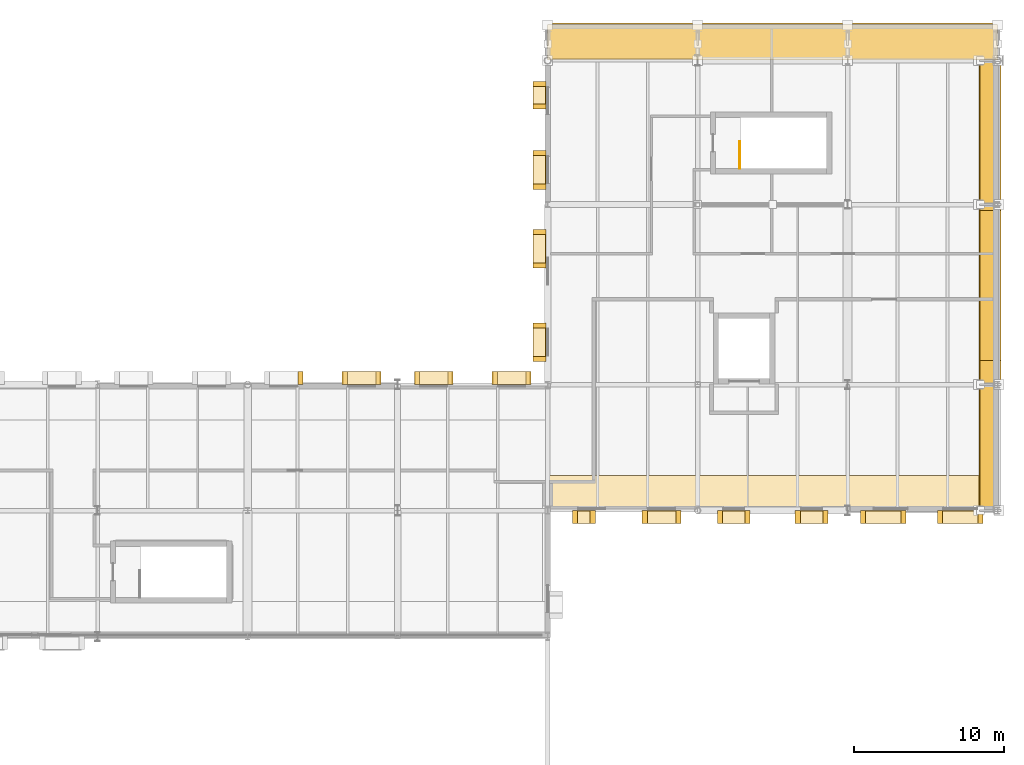
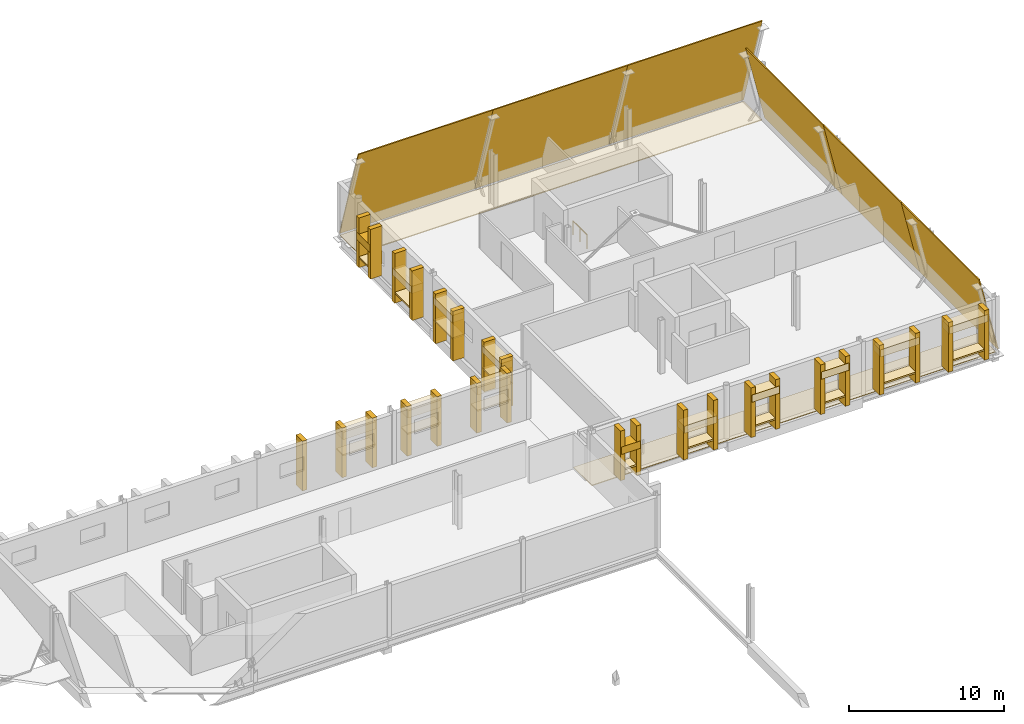
# One storey, part 90 of 90: 61 coverings, 2 railings.
"""IFC4 building model written with IfcOpenShell, lengths in metres."""

from ifc_helpers import new_model, si_unit, direction, frame, origin, origin_2d, place, context, subcontext, project, spatial, polyline, rectangle, circle, outline, extrude, material, layer, layer_set, type_object, element, save


model = new_model("IFC4")

# Units and contexts
model_context = context("Model", 3, precision=1e-05, world=origin(), true_north=direction((0.0, 1.0)))
body_context = subcontext(model_context, "Body", "Model", "MODEL_VIEW")
ifc_project = project(units=[si_unit("LENGTHUNIT", "METRE"), si_unit("AREAUNIT", "SQUARE_METRE"), si_unit("VOLUMEUNIT", "CUBIC_METRE"), si_unit("PLANEANGLEUNIT", "RADIAN"), si_unit("MASSUNIT", "GRAM", prefix="KILO")], contexts=[model_context])

# Site, building, storey
site_placement = place(None, origin())
site = spatial("IfcSite", under=ifc_project, at=site_placement, CompositionType="ELEMENT")
building_placement = place(site_placement, origin())
building = spatial("IfcBuilding", under=site, at=building_placement, Name="Zereglee Splitstone Museum", CompositionType="ELEMENT")
storey_placement = place(building_placement, frame((0.0, 0.0, 4.800048828125)))
storey = spatial("IfcBuildingStorey", under=building, at=storey_placement, Name="L01", CompositionType="ELEMENT", Elevation=4.800048828125)

# Coverings
ifc_material_1 = material(Name="Honed Gobi pale limestone stringcourse and soffit cladding", Category="masonry")
ifc_layer_1 = layer(ifc_material_1, 0.070068359375)
ifc_layer_set_1 = layer_set([ifc_layer_1], Name="Honed Gobi pale limestone stringcourse and soffit cladding")
covering_type_1 = type_object("IfcCoveringType", Name="CL-02", PredefinedType="CLADDING", material=ifc_layer_set_1)
for number, where, z_axis, x_axis, name in (
    (1, (294.7099609375, 38.824951171875, 0.0), (0.0, 0.0, 1.0), (-1.0, 0.0, 0.0), "Mughal Window Reveal Stone Pilaster L01-0042L"),
    (2, (292.469970703125, 38.824951171875, 0.0), (0.0, 0.0, 1.0), (-1.0, 0.0, 0.0), "Mughal Window Reveal Stone Pilaster L01-0042R"),
):
    element("IfcCovering", number, at=place(storey_placement, frame(where, z_axis=z_axis, x_axis=x_axis)), inside=storey, type_object=covering_type_1, Name=name, PredefinedType="CLADDING", context=body_context, shape_type="SweptSolid", body=[
        extrude(rectangle(XDim=0.340087890625, YDim=0.860107421875, at=origin_2d()), origin(), (0.0, 0.0, 1.0), 3.89990234375),
    ])
covering_1_placement = place(storey_placement, frame((293.590087890625, 38.8349609375, 1.659912109375), z_axis=(0.0, 0.0, 1.0), x_axis=(-1.0, 0.0, 0.0)))
element("IfcCovering", 3, at=covering_1_placement, inside=storey, type_object=covering_type_1, Name="Carved Limestone Window Sill L01-0042", PredefinedType="CLADDING", context=body_context, shape_type="SweptSolid", body=[
    extrude(rectangle(XDim=2.43994140625, YDim=0.840087890625, at=origin_2d()), origin(), (0.0, 0.0, 1.0), 0.1201171875),
])
for number, where, z_axis, x_axis, name in (
    (4, (289.530029296875, 38.824951171875, 0.0), (0.0, 0.0, 1.0), (-1.0, 0.0, 0.0), "Mughal Window Reveal Stone Pilaster L01-0043L"),
    (5, (287.2900390625, 38.824951171875, 0.0), (0.0, 0.0, 1.0), (-1.0, 0.0, 0.0), "Mughal Window Reveal Stone Pilaster L01-0043R"),
):
    element("IfcCovering", number, at=place(storey_placement, frame(where, z_axis=z_axis, x_axis=x_axis)), inside=storey, type_object=covering_type_1, Name=name, PredefinedType="CLADDING", context=body_context, shape_type="SweptSolid", body=[
        extrude(rectangle(XDim=0.340087890625, YDim=0.860107421875, at=origin_2d()), origin(), (0.0, 0.0, 1.0), 3.89990234375),
    ])
covering_2_placement = place(storey_placement, frame((288.409912109375, 38.8349609375, 1.659912109375), z_axis=(0.0, 0.0, 1.0), x_axis=(-1.0, 0.0, 0.0)))
element("IfcCovering", 6, at=covering_2_placement, inside=storey, type_object=covering_type_1, Name="Carved Limestone Window Sill L01-0043", PredefinedType="CLADDING", context=body_context, shape_type="SweptSolid", body=[
    extrude(rectangle(XDim=2.43994140625, YDim=0.840087890625, at=origin_2d()), origin(), (0.0, 0.0, 1.0), 0.1201171875),
])
for number, where, z_axis, x_axis, name in (
    (7, (284.7099609375, 38.824951171875, 0.0), (0.0, 0.0, 1.0), (-1.0, 0.0, 0.0), "Mughal Window Reveal Stone Pilaster L01-0044L"),
    (8, (282.469970703125, 38.824951171875, 0.0), (0.0, 0.0, 1.0), (-1.0, 0.0, 0.0), "Mughal Window Reveal Stone Pilaster L01-0044R"),
):
    element("IfcCovering", number, at=place(storey_placement, frame(where, z_axis=z_axis, x_axis=x_axis)), inside=storey, type_object=covering_type_1, Name=name, PredefinedType="CLADDING", context=body_context, shape_type="SweptSolid", body=[
        extrude(rectangle(XDim=0.340087890625, YDim=0.860107421875, at=origin_2d()), origin(), (0.0, 0.0, 1.0), 3.89990234375),
    ])
covering_3_placement = place(storey_placement, frame((283.590087890625, 38.8349609375, 1.659912109375), z_axis=(0.0, 0.0, 1.0), x_axis=(-1.0, 0.0, 0.0)))
element("IfcCovering", 9, at=covering_3_placement, inside=storey, type_object=covering_type_1, Name="Carved Limestone Window Sill L01-0044", PredefinedType="CLADDING", context=body_context, shape_type="SweptSolid", body=[
    extrude(rectangle(XDim=2.43994140625, YDim=0.840087890625, at=origin_2d()), origin(), (0.0, 0.0, 1.0), 0.1201171875),
])
for number, where, z_axis, x_axis, name in (
    (10, (279.530029296875, 38.824951171875, 0.0), (0.0, 0.0, 1.0), (-1.0, 0.0, 0.0), "Mughal Window Reveal Stone Pilaster L01-0045L"),
    (11, (297.81494140625, 29.574951171875, 0.0), (0.0, 0.0, 1.0), (1.0, 0.0, 0.0), "Mughal Window Reveal Stone Pilaster L01-0053L"),
    (12, (299.0048828125, 29.574951171875, 0.0), (0.0, 0.0, 1.0), (1.0, 0.0, 0.0), "Mughal Window Reveal Stone Pilaster L01-0053R"),
):
    element("IfcCovering", number, at=place(storey_placement, frame(where, z_axis=z_axis, x_axis=x_axis)), inside=storey, type_object=covering_type_1, Name=name, PredefinedType="CLADDING", context=body_context, shape_type="SweptSolid", body=[
        extrude(rectangle(XDim=0.340087890625, YDim=0.860107421875, at=origin_2d()), origin(), (0.0, 0.0, 1.0), 3.89990234375),
    ])
covering_4_placement = place(storey_placement, frame((298.409912109375, 29.56494140625, 0.760009765625), z_axis=(0.0, 0.0, 1.0), x_axis=(1.0, 0.0, 0.0)))
element("IfcCovering", 13, at=covering_4_placement, inside=storey, type_object=covering_type_1, Name="Carved Limestone Window Sill L01-0053", PredefinedType="CLADDING", context=body_context, shape_type="SweptSolid", body=[
    extrude(rectangle(XDim=1.389892578125, YDim=0.840087890625, at=origin_2d()), origin(), (0.0, 0.0, 1.0), 0.1201171875),
])
for number, where, z_axis, x_axis, name in (
    (14, (302.469970703125, 29.574951171875, 0.0), (0.0, 0.0, 1.0), (1.0, 0.0, 0.0), "Mughal Window Reveal Stone Pilaster L01-0054L"),
    (15, (304.7099609375, 29.574951171875, 0.0), (0.0, 0.0, 1.0), (1.0, 0.0, 0.0), "Mughal Window Reveal Stone Pilaster L01-0054R"),
):
    element("IfcCovering", number, at=place(storey_placement, frame(where, z_axis=z_axis, x_axis=x_axis)), inside=storey, type_object=covering_type_1, Name=name, PredefinedType="CLADDING", context=body_context, shape_type="SweptSolid", body=[
        extrude(rectangle(XDim=0.340087890625, YDim=0.860107421875, at=origin_2d()), origin(), (0.0, 0.0, 1.0), 3.89990234375),
    ])
covering_5_placement = place(storey_placement, frame((303.590087890625, 29.56494140625, 0.760009765625), z_axis=(0.0, 0.0, 1.0), x_axis=(1.0, 0.0, 0.0)))
element("IfcCovering", 16, at=covering_5_placement, inside=storey, type_object=covering_type_1, Name="Carved Limestone Window Sill L01-0054", PredefinedType="CLADDING", context=body_context, shape_type="SweptSolid", body=[
    extrude(rectangle(XDim=2.43994140625, YDim=0.840087890625, at=origin_2d()), origin(), (0.0, 0.0, 1.0), 0.1201171875),
])
for number, where, z_axis, x_axis, name in (
    (17, (307.489990234375, 29.574951171875, 0.0), (0.0, 0.0, 1.0), (1.0, 0.0, 0.0), "Mughal Window Reveal Stone Pilaster L01-0055L"),
    (18, (309.330078125, 29.574951171875, 0.0), (0.0, 0.0, 1.0), (1.0, 0.0, 0.0), "Mughal Window Reveal Stone Pilaster L01-0055R"),
):
    element("IfcCovering", number, at=place(storey_placement, frame(where, z_axis=z_axis, x_axis=x_axis)), inside=storey, type_object=covering_type_1, Name=name, PredefinedType="CLADDING", context=body_context, shape_type="SweptSolid", body=[
        extrude(rectangle(XDim=0.340087890625, YDim=0.860107421875, at=origin_2d()), origin(), (0.0, 0.0, 1.0), 3.89990234375),
    ])
covering_6_placement = place(storey_placement, frame((308.409912109375, 29.56494140625, 0.760009765625), z_axis=(0.0, 0.0, 1.0), x_axis=(1.0, 0.0, 0.0)))
element("IfcCovering", 19, at=covering_6_placement, inside=storey, type_object=covering_type_1, Name="Carved Limestone Window Sill L01-0055", PredefinedType="CLADDING", context=body_context, shape_type="SweptSolid", body=[
    extrude(rectangle(XDim=2.0400390625, YDim=0.840087890625, at=origin_2d()), origin(), (0.0, 0.0, 1.0), 0.1201171875),
])
for number, where, z_axis, x_axis, name in (
    (20, (312.669921875, 29.574951171875, 0.0), (0.0, 0.0, 1.0), (1.0, 0.0, 0.0), "Mughal Window Reveal Stone Pilaster L01-0056L"),
    (21, (314.510009765625, 29.574951171875, 0.0), (0.0, 0.0, 1.0), (1.0, 0.0, 0.0), "Mughal Window Reveal Stone Pilaster L01-0056R"),
):
    element("IfcCovering", number, at=place(storey_placement, frame(where, z_axis=z_axis, x_axis=x_axis)), inside=storey, type_object=covering_type_1, Name=name, PredefinedType="CLADDING", context=body_context, shape_type="SweptSolid", body=[
        extrude(rectangle(XDim=0.340087890625, YDim=0.860107421875, at=origin_2d()), origin(), (0.0, 0.0, 1.0), 3.89990234375),
    ])
covering_7_placement = place(storey_placement, frame((313.590087890625, 29.56494140625, 0.760009765625), z_axis=(0.0, 0.0, 1.0), x_axis=(1.0, 0.0, 0.0)))
element("IfcCovering", 22, at=covering_7_placement, inside=storey, type_object=covering_type_1, Name="Carved Limestone Window Sill L01-0056", PredefinedType="CLADDING", context=body_context, shape_type="SweptSolid", body=[
    extrude(rectangle(XDim=2.0400390625, YDim=0.840087890625, at=origin_2d()), origin(), (0.0, 0.0, 1.0), 0.1201171875),
])
for number, where, z_axis, x_axis, name in (
    (23, (317.034912109375, 29.574951171875, 0.0), (0.0, 0.0, 1.0), (1.0, 0.0, 0.0), "Mughal Window Reveal Stone Pilaster L01-0057L"),
    (24, (319.72509765625, 29.574951171875, 0.0), (0.0, 0.0, 1.0), (1.0, 0.0, 0.0), "Mughal Window Reveal Stone Pilaster L01-0057R"),
):
    element("IfcCovering", number, at=place(storey_placement, frame(where, z_axis=z_axis, x_axis=x_axis)), inside=storey, type_object=covering_type_1, Name=name, PredefinedType="CLADDING", context=body_context, shape_type="SweptSolid", body=[
        extrude(rectangle(XDim=0.340087890625, YDim=0.860107421875, at=origin_2d()), origin(), (0.0, 0.0, 1.0), 3.89990234375),
    ])
covering_8_placement = place(storey_placement, frame((318.3798828125, 29.56494140625, 0.760009765625), z_axis=(0.0, 0.0, 1.0), x_axis=(1.0, 0.0, 0.0)))
element("IfcCovering", 25, at=covering_8_placement, inside=storey, type_object=covering_type_1, Name="Carved Limestone Window Sill L01-0057", PredefinedType="CLADDING", context=body_context, shape_type="SweptSolid", body=[
    extrude(rectangle(XDim=2.889892578125, YDim=0.840087890625, at=origin_2d()), origin(), (0.0, 0.0, 1.0), 0.1201171875),
])
for number, where, z_axis, x_axis, name in (
    (26, (322.155029296875, 29.574951171875, 0.0), (0.0, 0.0, 1.0), (1.0, 0.0, 0.0), "Mughal Window Reveal Stone Pilaster L01-0058L"),
    (27, (324.844970703125, 29.574951171875, 0.0), (0.0, 0.0, 1.0), (1.0, 0.0, 0.0), "Mughal Window Reveal Stone Pilaster L01-0058R"),
):
    element("IfcCovering", number, at=place(storey_placement, frame(where, z_axis=z_axis, x_axis=x_axis)), inside=storey, type_object=covering_type_1, Name=name, PredefinedType="CLADDING", context=body_context, shape_type="SweptSolid", body=[
        extrude(rectangle(XDim=0.340087890625, YDim=0.860107421875, at=origin_2d()), origin(), (0.0, 0.0, 1.0), 3.89990234375),
    ])
covering_9_placement = place(storey_placement, frame((323.5, 29.56494140625, 0.760009765625), z_axis=(0.0, 0.0, 1.0), x_axis=(1.0, 0.0, 0.0)))
element("IfcCovering", 28, at=covering_9_placement, inside=storey, type_object=covering_type_1, Name="Carved Limestone Window Sill L01-0058", PredefinedType="CLADDING", context=body_context, shape_type="SweptSolid", body=[
    extrude(rectangle(XDim=2.889892578125, YDim=0.840087890625, at=origin_2d()), origin(), (0.0, 0.0, 1.0), 0.1201171875),
])
for number, where, z_axis, x_axis, name in (
    (29, (295.455078125, 58.43505859375, 0.0), (0.0, 0.0, 1.0), (0.0, -1.0, 0.0), "Mughal Window Reveal Stone Pilaster L01-0059L"),
    (30, (295.455078125, 56.945068359375, 0.0), (0.0, 0.0, 1.0), (0.0, -1.0, 0.0), "Mughal Window Reveal Stone Pilaster L01-0059R"),
):
    element("IfcCovering", number, at=place(storey_placement, frame(where, z_axis=z_axis, x_axis=x_axis)), inside=storey, type_object=covering_type_1, Name=name, PredefinedType="CLADDING", context=body_context, shape_type="SweptSolid", body=[
        extrude(rectangle(XDim=0.340087890625, YDim=0.860107421875, at=origin_2d()), origin(), (0.0, 0.0, 1.0), 3.89990234375),
    ])
covering_10_placement = place(storey_placement, frame((295.445068359375, 57.68994140625, 0.760009765625), z_axis=(0.0, 0.0, 1.0), x_axis=(0.0, -1.0, 0.0)))
element("IfcCovering", 31, at=covering_10_placement, inside=storey, type_object=covering_type_1, Name="Carved Limestone Window Sill L01-0059", PredefinedType="CLADDING", context=body_context, shape_type="SweptSolid", body=[
    extrude(rectangle(XDim=1.68994140625, YDim=0.840087890625, at=origin_2d()), origin(), (0.0, 0.0, 1.0), 0.1201171875),
])
for number, where, z_axis, x_axis, name in (
    (32, (295.455078125, 53.830078125, 0.0), (0.0, 0.0, 1.0), (0.0, -1.0, 0.0), "Mughal Window Reveal Stone Pilaster L01-0060L"),
    (33, (295.455078125, 51.590087890625, 0.0), (0.0, 0.0, 1.0), (0.0, -1.0, 0.0), "Mughal Window Reveal Stone Pilaster L01-0060R"),
):
    element("IfcCovering", number, at=place(storey_placement, frame(where, z_axis=z_axis, x_axis=x_axis)), inside=storey, type_object=covering_type_1, Name=name, PredefinedType="CLADDING", context=body_context, shape_type="SweptSolid", body=[
        extrude(rectangle(XDim=0.340087890625, YDim=0.860107421875, at=origin_2d()), origin(), (0.0, 0.0, 1.0), 3.89990234375),
    ])
covering_11_placement = place(storey_placement, frame((295.445068359375, 52.7099609375, 0.760009765625), z_axis=(0.0, 0.0, 1.0), x_axis=(0.0, -1.0, 0.0)))
element("IfcCovering", 34, at=covering_11_placement, inside=storey, type_object=covering_type_1, Name="Carved Limestone Window Sill L01-0060", PredefinedType="CLADDING", context=body_context, shape_type="SweptSolid", body=[
    extrude(rectangle(XDim=2.43994140625, YDim=0.840087890625, at=origin_2d()), origin(), (0.0, 0.0, 1.0), 0.1201171875),
])
for number, where, z_axis, x_axis, name in (
    (35, (295.455078125, 48.580078125, 0.0), (0.0, 0.0, 1.0), (0.0, -1.0, 0.0), "Mughal Window Reveal Stone Pilaster L01-0061L"),
    (36, (295.455078125, 46.340087890625, 0.0), (0.0, 0.0, 1.0), (0.0, -1.0, 0.0), "Mughal Window Reveal Stone Pilaster L01-0061R"),
):
    element("IfcCovering", number, at=place(storey_placement, frame(where, z_axis=z_axis, x_axis=x_axis)), inside=storey, type_object=covering_type_1, Name=name, PredefinedType="CLADDING", context=body_context, shape_type="SweptSolid", body=[
        extrude(rectangle(XDim=0.340087890625, YDim=0.860107421875, at=origin_2d()), origin(), (0.0, 0.0, 1.0), 3.89990234375),
    ])
covering_12_placement = place(storey_placement, frame((295.445068359375, 47.4599609375, 1.659912109375), z_axis=(0.0, 0.0, 1.0), x_axis=(0.0, -1.0, 0.0)))
element("IfcCovering", 37, at=covering_12_placement, inside=storey, type_object=covering_type_1, Name="Carved Limestone Window Sill L01-0061", PredefinedType="CLADDING", context=body_context, shape_type="SweptSolid", body=[
    extrude(rectangle(XDim=2.43994140625, YDim=0.840087890625, at=origin_2d()), origin(), (0.0, 0.0, 1.0), 0.1201171875),
])
for number, where, z_axis, x_axis, name in (
    (38, (295.455078125, 42.340087890625, 0.0), (0.0, 0.0, 1.0), (0.0, -1.0, 0.0), "Mughal Window Reveal Stone Pilaster L01-0062L"),
    (39, (295.455078125, 40.10009765625, 0.0), (0.0, 0.0, 1.0), (0.0, -1.0, 0.0), "Mughal Window Reveal Stone Pilaster L01-0062R"),
):
    element("IfcCovering", number, at=place(storey_placement, frame(where, z_axis=z_axis, x_axis=x_axis)), inside=storey, type_object=covering_type_1, Name=name, PredefinedType="CLADDING", context=body_context, shape_type="SweptSolid", body=[
        extrude(rectangle(XDim=0.340087890625, YDim=0.860107421875, at=origin_2d()), origin(), (0.0, 0.0, 1.0), 3.89990234375),
    ])
covering_13_placement = place(storey_placement, frame((295.445068359375, 41.219970703125, 1.659912109375), z_axis=(0.0, 0.0, 1.0), x_axis=(0.0, -1.0, 0.0)))
element("IfcCovering", 40, at=covering_13_placement, inside=storey, type_object=covering_type_1, Name="Carved Limestone Window Sill L01-0062", PredefinedType="CLADDING", context=body_context, shape_type="SweptSolid", body=[
    extrude(rectangle(XDim=2.43994140625, YDim=0.840087890625, at=origin_2d()), origin(), (0.0, 0.0, 1.0), 0.1201171875),
])
covering_14_placement = place(storey_placement, frame((0.0, 0.0, -0.35009765625)))
element("IfcCovering", 41, at=covering_14_placement, inside=storey, type_object=covering_type_1, Name="Hovering Stone Plinth Soffit Apron 013", PredefinedType="CLADDING", context=body_context, shape_type="SweptSolid", body=[
    extrude(outline(polyline([(296.0, 30.0), (326.0, 30.0), (326.0, 32.35009765625), (296.0, 32.35009765625), (296.0, 30.0)])), origin(), (0.0, 0.0, 1.0), 0.070068359375),
])
covering_15_placement = place(storey_placement, frame((0.0, 0.0, -0.35009765625)))
element("IfcCovering", 42, at=covering_15_placement, inside=storey, type_object=covering_type_1, Name="Hovering Stone Plinth Soffit Apron 014", PredefinedType="CLADDING", context=body_context, shape_type="SweptSolid", body=[
    extrude(outline(polyline([(296.0, 60.050048828125), (326.0, 60.050048828125), (326.0, 62.39990234375), (296.0, 62.39990234375), (296.0, 60.050048828125)])), origin(), (0.0, 0.0, 1.0), 0.070068359375),
])
ifc_material_2 = material(Name="Honed Khoroo red sandstone ventilated rainscreen", Category="masonry")
ifc_layer_2 = layer(ifc_material_2, 0.080078125)
ifc_layer_set_2 = layer_set([ifc_layer_2], Name="Honed Khoroo red sandstone ventilated rainscreen")
covering_type_2 = type_object("IfcCoveringType", Name="CL-01", PredefinedType="CLADDING", material=ifc_layer_set_2)
for number, where, z_axis, x_axis, name in (
    (43, (293.590087890625, 38.8349609375, 2.9599609375), (0.0, 0.0, 1.0), (-1.0, 0.0, 0.0), "Pointed-Arch Mughal Window Hood L01-0042"),
    (44, (288.409912109375, 38.8349609375, 2.9599609375), (0.0, 0.0, 1.0), (-1.0, 0.0, 0.0), "Pointed-Arch Mughal Window Hood L01-0043"),
    (45, (283.590087890625, 38.8349609375, 2.9599609375), (0.0, 0.0, 1.0), (-1.0, 0.0, 0.0), "Pointed-Arch Mughal Window Hood L01-0044"),
):
    element("IfcCovering", number, at=place(storey_placement, frame(where, z_axis=z_axis, x_axis=x_axis)), inside=storey, type_object=covering_type_2, Name=name, PredefinedType="CLADDING", context=body_context, shape_type="SweptSolid", body=[
        extrude(rectangle(XDim=2.43994140625, YDim=0.860107421875, at=origin_2d()), origin(), (0.0, 0.0, 1.0), 0.580078125),
    ])
covering_16_placement = place(storey_placement, frame((298.409912109375, 29.56494140625, 2.059814453125), z_axis=(0.0, 0.0, 1.0), x_axis=(1.0, 0.0, 0.0)))
element("IfcCovering", 46, at=covering_16_placement, inside=storey, type_object=covering_type_2, Name="Pointed-Arch Mughal Window Hood L01-0053", PredefinedType="CLADDING", context=body_context, shape_type="SweptSolid", body=[
    extrude(rectangle(XDim=1.389892578125, YDim=0.860107421875, at=origin_2d()), origin(), (0.0, 0.0, 1.0), 0.580078125),
])
covering_17_placement = place(storey_placement, frame((303.590087890625, 29.56494140625, 2.059814453125), z_axis=(0.0, 0.0, 1.0), x_axis=(1.0, 0.0, 0.0)))
element("IfcCovering", 47, at=covering_17_placement, inside=storey, type_object=covering_type_2, Name="Pointed-Arch Mughal Window Hood L01-0054", PredefinedType="CLADDING", context=body_context, shape_type="SweptSolid", body=[
    extrude(rectangle(XDim=2.43994140625, YDim=0.860107421875, at=origin_2d()), origin(), (0.0, 0.0, 1.0), 0.580078125),
])
for number, where, z_axis, x_axis, name in (
    (48, (308.409912109375, 29.56494140625, 2.760009765625), (0.0, 0.0, 1.0), (1.0, 0.0, 0.0), "Pointed-Arch Mughal Window Hood L01-0055"),
    (49, (313.590087890625, 29.56494140625, 2.760009765625), (0.0, 0.0, 1.0), (1.0, 0.0, 0.0), "Pointed-Arch Mughal Window Hood L01-0056"),
):
    element("IfcCovering", number, at=place(storey_placement, frame(where, z_axis=z_axis, x_axis=x_axis)), inside=storey, type_object=covering_type_2, Name=name, PredefinedType="CLADDING", context=body_context, shape_type="SweptSolid", body=[
        extrude(rectangle(XDim=2.0400390625, YDim=0.860107421875, at=origin_2d()), origin(), (0.0, 0.0, 1.0), 0.580078125),
    ])
for number, where, z_axis, x_axis, name in (
    (50, (318.3798828125, 29.56494140625, 2.9599609375), (0.0, 0.0, 1.0), (1.0, 0.0, 0.0), "Pointed-Arch Mughal Window Hood L01-0057"),
    (51, (323.5, 29.56494140625, 2.9599609375), (0.0, 0.0, 1.0), (1.0, 0.0, 0.0), "Pointed-Arch Mughal Window Hood L01-0058"),
):
    element("IfcCovering", number, at=place(storey_placement, frame(where, z_axis=z_axis, x_axis=x_axis)), inside=storey, type_object=covering_type_2, Name=name, PredefinedType="CLADDING", context=body_context, shape_type="SweptSolid", body=[
        extrude(rectangle(XDim=2.889892578125, YDim=0.860107421875, at=origin_2d()), origin(), (0.0, 0.0, 1.0), 0.580078125),
    ])
covering_18_placement = place(storey_placement, frame((295.445068359375, 57.68994140625, 2.059814453125), z_axis=(0.0, 0.0, 1.0), x_axis=(0.0, -1.0, 0.0)))
element("IfcCovering", 52, at=covering_18_placement, inside=storey, type_object=covering_type_2, Name="Pointed-Arch Mughal Window Hood L01-0059", PredefinedType="CLADDING", context=body_context, shape_type="SweptSolid", body=[
    extrude(rectangle(XDim=1.68994140625, YDim=0.860107421875, at=origin_2d()), origin(), (0.0, 0.0, 1.0), 0.580078125),
])
for number, where, z_axis, x_axis, name in (
    (53, (295.445068359375, 52.7099609375, 2.059814453125), (0.0, 0.0, 1.0), (0.0, -1.0, 0.0), "Pointed-Arch Mughal Window Hood L01-0060"),
    (54, (295.445068359375, 47.4599609375, 2.9599609375), (0.0, 0.0, 1.0), (0.0, -1.0, 0.0), "Pointed-Arch Mughal Window Hood L01-0061"),
    (55, (295.445068359375, 41.219970703125, 2.9599609375), (0.0, 0.0, 1.0), (0.0, -1.0, 0.0), "Pointed-Arch Mughal Window Hood L01-0062"),
):
    element("IfcCovering", number, at=place(storey_placement, frame(where, z_axis=z_axis, x_axis=x_axis)), inside=storey, type_object=covering_type_2, Name=name, PredefinedType="CLADDING", context=body_context, shape_type="SweptSolid", body=[
        extrude(rectangle(XDim=2.43994140625, YDim=0.860107421875, at=origin_2d()), origin(), (0.0, 0.0, 1.0), 0.580078125),
    ])
for number, where, z_axis, x_axis, name in (
    (56, (296.0, 60.094970703125, 7.5), (0.0, 0.95414290645, 0.299351489175), (1.0, 0.0, 0.0), "Split-Rock Continuous Inclined Facet FH-V6N L01.1"),
    (57, (306.0, 60.094970703125, 7.5), (0.0, 0.95414290645, 0.299351489175), (1.0, 0.0, 0.0), "Split-Rock Continuous Inclined Facet FH-V6N L01.2"),
    (58, (316.0, 60.094970703125, 7.5), (0.0, 0.95414290645, 0.299351489175), (1.0, 0.0, 0.0), "Split-Rock Continuous Inclined Facet FH-V6N L01.3"),
):
    element("IfcCovering", number, at=place(storey_placement, frame(where, z_axis=z_axis, x_axis=x_axis)), inside=storey, type_object=covering_type_2, Name=name, PredefinedType="CLADDING", context=body_context, shape_type="SweptSolid", body=[
        extrude(outline(polyline([(0.0, 0.0), (10.0, 0.0), (10.0, 8.017820425705033), (0.0, 8.017820425705033), (0.0, 0.0)])), origin(), (0.0, 0.0, -1.0), 0.080078125),
    ])
for number, where, z_axis, x_axis, name in (
    (59, (326.219970703125, 30.0, -0.150146484375), (0.973422406137, 0.0, 0.229017071918), (0.0, 1.0, 0.0), "Split-Rock Continuous Inclined Facet FH-V6E L01.1"),
    (60, (326.219970703125, 40.0, -0.150146484375), (0.973422406137, 0.0, 0.229017071918), (0.0, 1.0, 0.0), "Split-Rock Continuous Inclined Facet FH-V6E L01.2"),
    (61, (326.219970703125, 50.0, -0.150146484375), (0.973422406137, 0.0, 0.229017071918), (0.0, 1.0, 0.0), "Split-Rock Continuous Inclined Facet FH-V6E L01.3"),
):
    element("IfcCovering", number, at=place(storey_placement, frame(where, z_axis=z_axis, x_axis=x_axis)), inside=storey, type_object=covering_type_2, Name=name, PredefinedType="CLADDING", context=body_context, shape_type="SweptSolid", body=[
        extrude(outline(polyline([(0.0, 0.0), (10.0, 0.0), (10.0, 6.112654973817328), (0.0, 6.112654973817328), (0.0, 0.0)])), origin(), (0.0, 0.0, -1.0), 0.080078125),
    ])

# Railings
ifc_material_3 = material(Name="Painted steel S355J2 post-and-baluster guard", Category="steel")
railing_type = type_object("IfcRailingType", Name="GR-03", PredefinedType="BALUSTRADE", material=ifc_material_3)
railing_1_placement = place(storey_placement, frame((308.800048828125, 52.800048828125, 0.0)))
element("IfcRailing", 62, at=railing_1_placement, inside=storey, type_object=railing_type, Name="L01 ST-08 top well guard 1", PredefinedType="BALUSTRADE", context=body_context, shape_type="SweptSolid", body=[
    extrude(circle(Radius=0.02392578125, at=origin_2d()), frame((0.0, 0.0, 1.076416015625), z_axis=(0.0, 1.0, 0.0), x_axis=(-1.0, 0.0, 0.0)), (0.0, 0.0, 1.0), 1.800048828125),
    extrude(circle(Radius=0.02099609375, at=origin_2d()), origin(), (0.0, 0.0, 1.0), 1.052001953125),
    extrude(circle(Radius=0.02099609375, at=origin_2d()), frame((0.0, 0.89990234375, 0.0)), (0.0, 0.0, 1.0), 1.052001953125),
    extrude(circle(Radius=0.02099609375, at=origin_2d()), frame((0.0, 1.800048828125, 0.0)), (0.0, 0.0, 1.0), 1.052001953125),
])
railing_2_placement = place(storey_placement, frame((308.81005859375, 52.820068359375, 0.0)))
element("IfcRailing", 63, at=railing_2_placement, inside=storey, type_object=railing_type, Name="Stair Top-Floor Well Guard ST-08", PredefinedType="BALUSTRADE", context=body_context, shape_type="SweptSolid", body=[
    extrude(circle(Radius=0.02392578125, at=origin_2d()), frame((0.0, 0.0, 1.076416015625), z_axis=(0.0, 1.0, 0.0), x_axis=(-1.0, 0.0, 0.0)), (0.0, 0.0, 1.0), 1.780029296875),
    extrude(circle(Radius=0.02099609375, at=origin_2d()), origin(), (0.0, 0.0, 1.0), 1.052001953125),
    extrude(circle(Radius=0.02099609375, at=origin_2d()), frame((0.0, 0.89013671875, 0.0)), (0.0, 0.0, 1.0), 1.052001953125),
    extrude(circle(Radius=0.02099609375, at=origin_2d()), frame((0.0, 1.780029296875, 0.0)), (0.0, 0.0, 1.0), 1.052001953125),
])

save(model, "model.ifc")
